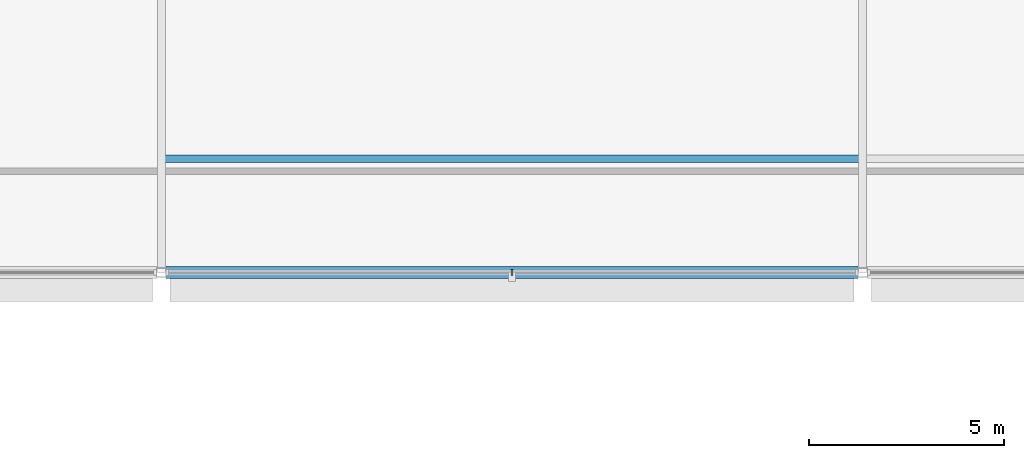
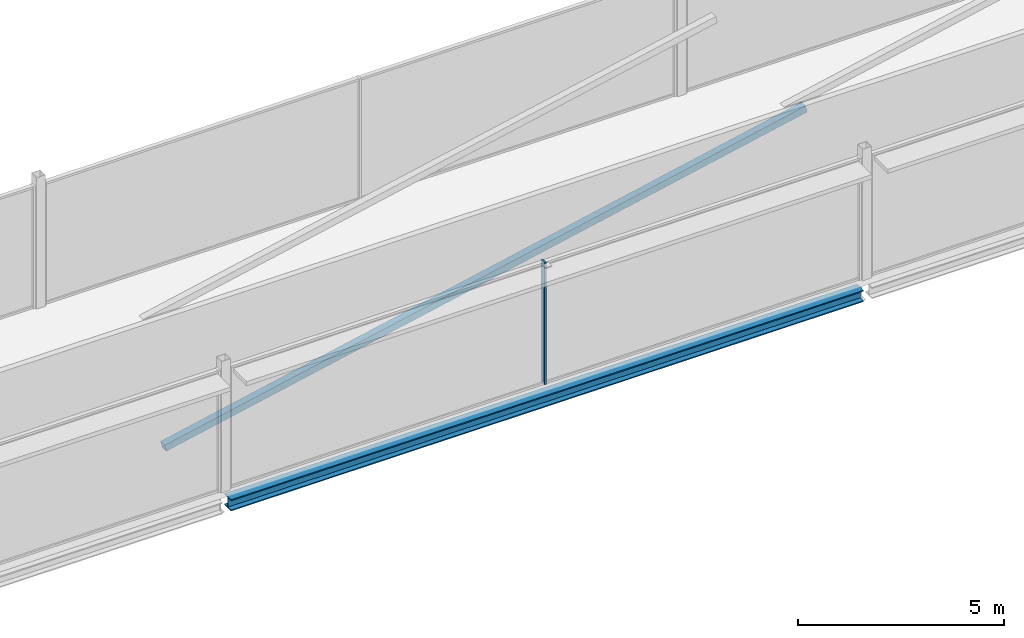
# One storey, part 25 of 98: 2 members, 1 beam, 1 element without a shape of its own.
"""IFC4 building model written with IfcOpenShell, lengths in metres."""

from ifc_helpers import new_model, si_unit, direction, frame, origin, origin_2d, place, context, subcontext, project, spatial, rectangle, hollow_rectangle, i_section, extrude, material, layer, layer_set, material_profile, profile_set, type_object, element, aggregate, save


model = new_model("IFC4")

# Units and contexts
model_context = context("Model", 3, precision=1e-05, world=origin(), true_north=direction((0.0, 1.0)))
body_context = subcontext(model_context, "Body", "Model", "MODEL_VIEW")
ifc_project = project(units=[si_unit("LENGTHUNIT", "METRE"), si_unit("AREAUNIT", "SQUARE_METRE"), si_unit("VOLUMEUNIT", "CUBIC_METRE"), si_unit("PLANEANGLEUNIT", "RADIAN"), si_unit("MASSUNIT", "GRAM", prefix="KILO")], contexts=[model_context])

# Site, building, storey
site_placement = place(None, origin())
site = spatial("IfcSite", under=ifc_project, at=site_placement, CompositionType="ELEMENT")
building_placement = place(site_placement, origin())
building = spatial("IfcBuilding", under=site, at=building_placement, Name="Kisiwana Market Hall", CompositionType="ELEMENT")
storey_placement = place(building_placement, frame((0.0, 0.0, 29.39990234375)))
storey = spatial("IfcBuildingStorey", under=building, at=storey_placement, Name="L06", CompositionType="ELEMENT", Elevation=29.39990234375)

# Beam
ifc_material_1 = material(Name="Steel S355", Category="steel")
ifc_material_profile_1 = material_profile(ifc_material_1, i_section(OverallWidth=0.314453125, OverallDepth=0.33984375, WebThickness=0.01904296875, FlangeThickness=0.031494140625, at=origin_2d()), Name="UC 305x305x198")
ifc_profile_set_1 = profile_set([ifc_material_profile_1], Name="Steel S355")
beam_type = type_object("IfcBeamType", Name="BM-SKYBR-CHORD", PredefinedType="BEAM", material=ifc_profile_set_1)
beam_placement = place(storey_placement, frame((117.12109375, 18.0, -0.434814453125), z_axis=(1.0, 0.0, 0.0), x_axis=(0.0, 1.0, 0.0)))
element("IfcBeam", 1, at=beam_placement, inside=storey, type_object=beam_type, Name="Floor beam B-1791", PredefinedType="BEAM", context=body_context, shape_type="SweptSolid", body=[
    extrude(i_section(OverallWidth=0.314453125, OverallDepth=0.33984375, WebThickness=0.01904296875, FlangeThickness=0.031494140625, at=origin_2d()), origin(), (0.0, 0.0, 1.0), 17.7578125),
])

# Curtain wall, member
ifc_material_2 = material(Name="Double-glazed solar-control low-E IGU", Category="glass")
ifc_layer = layer(ifc_material_2, 0.159912109375)
ifc_layer_set = layer_set([ifc_layer], Name="CW-ZNA-EW-8200")
curtain_wall_type = type_object("IfcCurtainWallType", Name="CW-ZNA-EW-8200", PredefinedType="USERDEFINED", material=ifc_layer_set)
curtain_wall_placement = place(storey_placement, origin())
curtain_wall = element("IfcCurtainWall", 2, at=curtain_wall_placement, inside=storey, type_object=curtain_wall_type, Name="Unitised curtain wall CW-176 (L06)", ObjectType="UNITISED CURTAIN WALL", PredefinedType="USERDEFINED")
ifc_material_3 = material(Name="Aluminium alloy 6063-T6", Category="aluminium")
ifc_material_profile_2 = material_profile(ifc_material_3, rectangle(XDim=0.06005859375, YDim=0.159912109375, at=origin_2d()), Name="ALU MULLION 60x160")
ifc_profile_set_2 = profile_set([ifc_material_profile_2], Name="Aluminium alloy 6063-T6")
member_type_1 = type_object("IfcMemberType", Name="CW-MULL-60x160", PredefinedType="MULLION", material=ifc_profile_set_2)
member_1_placement = place(storey_placement, frame((126.0, 18.0, 0.0), z_axis=(0.0, 0.0, 1.0), x_axis=(1.0, 0.0, 0.0)))
member_1 = element("IfcMember", 3, at=member_1_placement, type_object=member_type_1, Name="CW-176 mullion 2", PredefinedType="MULLION", context=body_context, shape_type="SweptSolid", body=[
    extrude(rectangle(XDim=0.06005859375, YDim=0.159912109375, at=origin_2d()), origin(), (0.0, 0.0, 1.0), 3.6201171875),
])
aggregate(curtain_wall, [member_1])

# Member
ifc_material_4 = material(Name="Steel S355", Category="steel")
ifc_material_profile_3 = material_profile(ifc_material_4, hollow_rectangle(XDim=0.199951171875, YDim=0.199951171875, WallThickness=0.010009765625, at=origin_2d()), Name="SHS 200x200x10.0")
ifc_profile_set_3 = profile_set([ifc_material_profile_3], Name="Steel S355")
member_type_2 = type_object("IfcMemberType", Name="MB-SKY-DIAG200", PredefinedType="BRACE", material=ifc_profile_set_3)
member_2_placement = place(storey_placement, frame((117.0, 20.919921875, -0.5), z_axis=(0.978762510891, 0.0, 0.204997432362), x_axis=(0.0, 1.0, 0.0)))
element("IfcMember", 4, at=member_2_placement, inside=storey, type_object=member_type_2, Name="Skybridge truss diagonal L06 grids 14 to 16 M-0498", PredefinedType="BRACE", context=body_context, shape_type="SweptSolid", body=[
    extrude(hollow_rectangle(XDim=0.199951171875, YDim=0.199951171875, WallThickness=0.010009765625, at=origin_2d()), origin(), (0.0, 0.0, 1.0), 18.390625),
])

save(model, "model.ifc")
